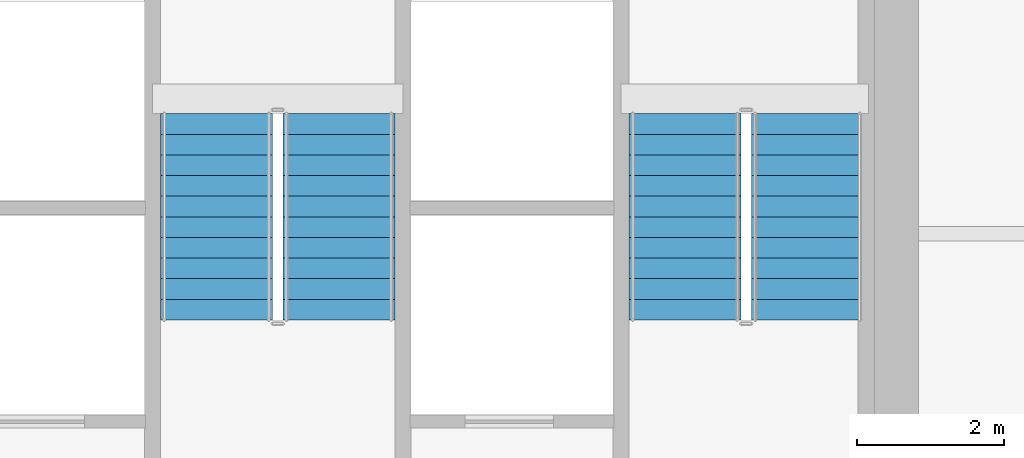
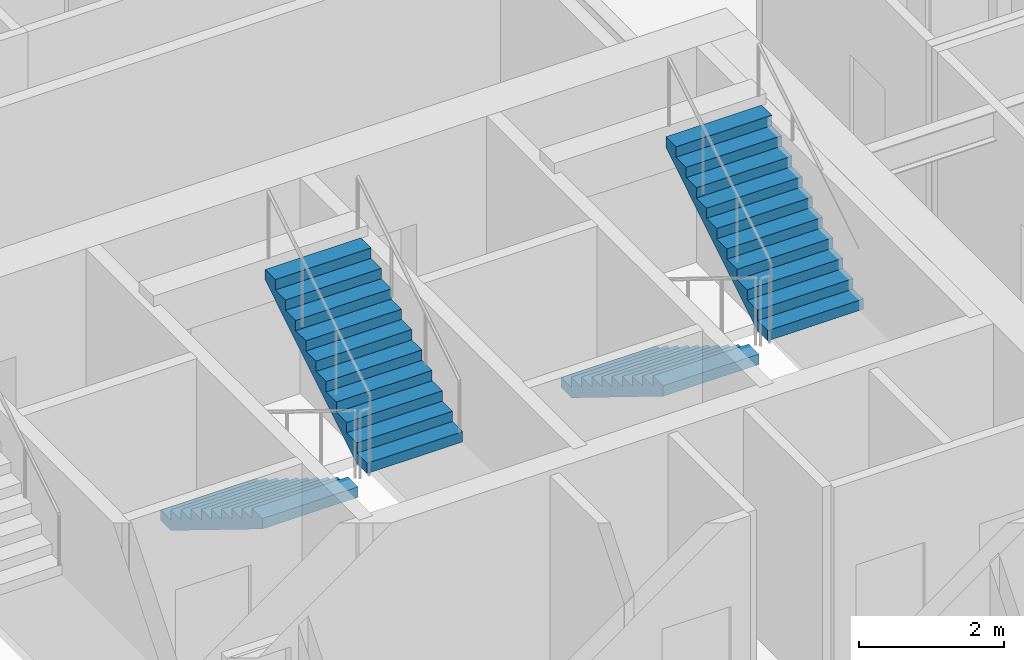
# One storey, part 10 of 11: 4 stair flights, 2 elements without a shape of their own.
"""IFC4 building model written with IfcOpenShell, lengths in metres."""

from ifc_helpers import new_model, si_unit, direction, frame, origin, place, context, subcontext, project, spatial, polyline, outline, extrude, material, type_object, element, aggregate, save


model = new_model("IFC4")

# Units and contexts
model_context = context("Model", 3, precision=1e-05, world=origin(), true_north=direction((0.0, 1.0)))
body_context = subcontext(model_context, "Body", "Model", "MODEL_VIEW")
ifc_project = project(units=[si_unit("LENGTHUNIT", "METRE"), si_unit("AREAUNIT", "SQUARE_METRE"), si_unit("VOLUMEUNIT", "CUBIC_METRE"), si_unit("PLANEANGLEUNIT", "RADIAN"), si_unit("MASSUNIT", "GRAM", prefix="KILO")], contexts=[model_context])

# Site, building, storey
site_placement = place(None, origin())
site = spatial("IfcSite", under=ifc_project, at=site_placement, CompositionType="ELEMENT")
building_placement = place(site_placement, origin())
building = spatial("IfcBuilding", under=site, at=building_placement, Name="Haolan Belvedere Tower", CompositionType="ELEMENT")
storey_placement = place(building_placement, frame((0.0, 0.0, 191.800048828125)))
storey = spatial("IfcBuildingStorey", under=building, at=storey_placement, Name="L48", CompositionType="ELEMENT", Elevation=191.800048828125)

# Stair, stair flights
ifc_material = material(Name="Concrete C40/50", Category="concrete")
stair_type = type_object("IfcStairType", Name="STR-DL-22R-173", PredefinedType="HALF_TURN_STAIR", material=ifc_material)
stair_1_placement = place(storey_placement, origin())
stair_1 = element("IfcStair", 1, at=stair_1_placement, inside=storey, type_object=stair_type, Name="L48 Smokeproof Core Exit Stair ST3", PredefinedType="HALF_TURN_STAIR")
stair_flight_type = type_object("IfcStairFlightType", Name="SFL-DL-11R-173", PredefinedType="STRAIGHT", material=ifc_material)
stair_flight_1_placement = place(storey_placement, frame((37.570068359375, 41.22998046875, 0.0), z_axis=(0.0, 0.0, 1.0), x_axis=(0.0, -1.0, 0.0)))
stair_flight_1 = element("IfcStairFlight", 2, at=stair_flight_1_placement, type_object=stair_flight_type, Name="ST3 flight 1", NumberOfRisers=11, NumberOfTreads=10, PredefinedType="STRAIGHT", RiserHeight=0.172727273, TreadLength=0.28, context=body_context, shape_type="SweptSolid", body=[
    extrude(outline(polyline([(0.0, 0.0), (0.0, 0.172607421875), (0.280029296875, 0.172607421875), (0.280029296875, 0.345458984375), (0.56005859375, 0.345458984375), (0.56005859375, 0.51806640625), (0.840087890625, 0.51806640625), (0.840087890625, 0.69091796875), (1.1201171875, 0.69091796875), (1.1201171875, 0.863525390625), (1.39990234375, 0.863525390625), (1.39990234375, 1.036376953125), (1.679931640625, 1.036376953125), (1.679931640625, 1.208984375), (1.9599609375, 1.208984375), (1.9599609375, 1.3818359375), (2.239990234375, 1.3818359375), (2.239990234375, 1.554443359375), (2.52001953125, 1.554443359375), (2.52001953125, 1.727294921875), (2.800048828125, 1.727294921875), (2.800048828125, 1.89990234375), (2.800048828125, 1.551025390625), (0.285400390625, 0.0), (0.0, 0.0)])), frame((0.0, 0.760009765625, 0.0), z_axis=(0.0, -1.0, 0.0), x_axis=(1.0, 0.0, 0.0)), (0.0, 0.0, 1.0), 1.52001953125),
])
stair_flight_2_placement = place(storey_placement, frame((39.22998046875, 38.429931640625, 1.89990234375), z_axis=(0.0, 0.0, 1.0), x_axis=(0.0, 1.0, 0.0)))
stair_flight_2 = element("IfcStairFlight", 3, at=stair_flight_2_placement, type_object=stair_flight_type, Name="ST3 flight 2", NumberOfRisers=11, NumberOfTreads=10, PredefinedType="STRAIGHT", RiserHeight=0.172727273, TreadLength=0.28, context=body_context, shape_type="SweptSolid", body=[
    extrude(outline(polyline([(0.0, 0.0), (0.0, 0.172607421875), (0.280029296875, 0.172607421875), (0.280029296875, 0.345458984375), (0.56005859375, 0.345458984375), (0.56005859375, 0.51806640625), (0.840087890625, 0.51806640625), (0.840087890625, 0.69091796875), (1.1201171875, 0.69091796875), (1.1201171875, 0.863525390625), (1.39990234375, 0.863525390625), (1.39990234375, 1.036376953125), (1.679931640625, 1.036376953125), (1.679931640625, 1.208984375), (1.9599609375, 1.208984375), (1.9599609375, 1.3818359375), (2.239990234375, 1.3818359375), (2.239990234375, 1.554443359375), (2.52001953125, 1.554443359375), (2.52001953125, 1.727294921875), (2.800048828125, 1.727294921875), (2.800048828125, 1.89990234375), (2.800048828125, 1.551025390625), (0.285400390625, 0.0), (0.0, 0.0)])), frame((0.0, 0.760009765625, 0.0), z_axis=(0.0, -1.0, 0.0), x_axis=(1.0, 0.0, 0.0)), (0.0, 0.0, 1.0), 1.52001953125),
])
aggregate(stair_1, [stair_flight_1, stair_flight_2])

stair_2_placement = place(storey_placement, origin())
stair_2 = element("IfcStair", 4, at=stair_2_placement, inside=storey, type_object=stair_type, Name="L48 Smokeproof Core Exit Stair ST2", PredefinedType="HALF_TURN_STAIR")
stair_flight_3_placement = place(storey_placement, frame((43.929931640625, 41.22998046875, 0.0), z_axis=(0.0, 0.0, 1.0), x_axis=(0.0, -1.0, 0.0)))
stair_flight_3 = element("IfcStairFlight", 5, at=stair_flight_3_placement, type_object=stair_flight_type, Name="ST2 flight 1", NumberOfRisers=11, NumberOfTreads=10, PredefinedType="STRAIGHT", RiserHeight=0.172727273, TreadLength=0.28, context=body_context, shape_type="SweptSolid", body=[
    extrude(outline(polyline([(0.0, 0.0), (0.0, 0.172607421875), (0.280029296875, 0.172607421875), (0.280029296875, 0.345458984375), (0.56005859375, 0.345458984375), (0.56005859375, 0.51806640625), (0.840087890625, 0.51806640625), (0.840087890625, 0.69091796875), (1.1201171875, 0.69091796875), (1.1201171875, 0.863525390625), (1.39990234375, 0.863525390625), (1.39990234375, 1.036376953125), (1.679931640625, 1.036376953125), (1.679931640625, 1.208984375), (1.9599609375, 1.208984375), (1.9599609375, 1.3818359375), (2.239990234375, 1.3818359375), (2.239990234375, 1.554443359375), (2.52001953125, 1.554443359375), (2.52001953125, 1.727294921875), (2.800048828125, 1.727294921875), (2.800048828125, 1.89990234375), (2.800048828125, 1.551025390625), (0.285400390625, 0.0), (0.0, 0.0)])), frame((0.0, 0.760009765625, 0.0), z_axis=(0.0, -1.0, 0.0), x_axis=(1.0, 0.0, 0.0)), (0.0, 0.0, 1.0), 1.52001953125),
])
stair_flight_4_placement = place(storey_placement, frame((45.590087890625, 38.429931640625, 1.89990234375), z_axis=(0.0, 0.0, 1.0), x_axis=(0.0, 1.0, 0.0)))
stair_flight_4 = element("IfcStairFlight", 6, at=stair_flight_4_placement, type_object=stair_flight_type, Name="ST2 flight 2", NumberOfRisers=11, NumberOfTreads=10, PredefinedType="STRAIGHT", RiserHeight=0.172727273, TreadLength=0.28, context=body_context, shape_type="SweptSolid", body=[
    extrude(outline(polyline([(0.0, 0.0), (0.0, 0.172607421875), (0.280029296875, 0.172607421875), (0.280029296875, 0.345458984375), (0.56005859375, 0.345458984375), (0.56005859375, 0.51806640625), (0.840087890625, 0.51806640625), (0.840087890625, 0.69091796875), (1.1201171875, 0.69091796875), (1.1201171875, 0.863525390625), (1.39990234375, 0.863525390625), (1.39990234375, 1.036376953125), (1.679931640625, 1.036376953125), (1.679931640625, 1.208984375), (1.9599609375, 1.208984375), (1.9599609375, 1.3818359375), (2.239990234375, 1.3818359375), (2.239990234375, 1.554443359375), (2.52001953125, 1.554443359375), (2.52001953125, 1.727294921875), (2.800048828125, 1.727294921875), (2.800048828125, 1.89990234375), (2.800048828125, 1.551025390625), (0.285400390625, 0.0), (0.0, 0.0)])), frame((0.0, 0.760009765625, 0.0), z_axis=(0.0, -1.0, 0.0), x_axis=(1.0, 0.0, 0.0)), (0.0, 0.0, 1.0), 1.52001953125),
])
aggregate(stair_2, [stair_flight_3, stair_flight_4])

save(model, "model.ifc")
